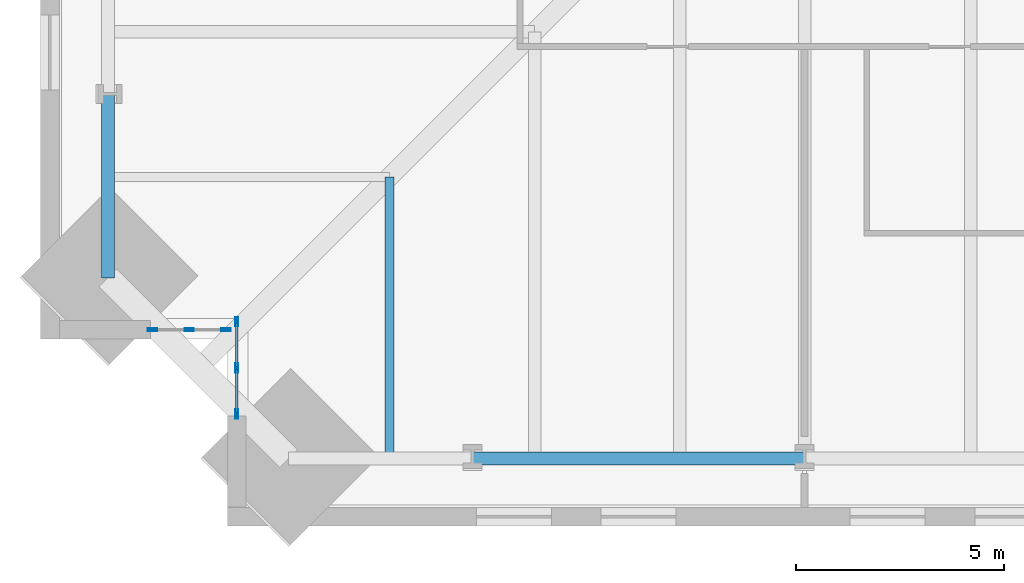
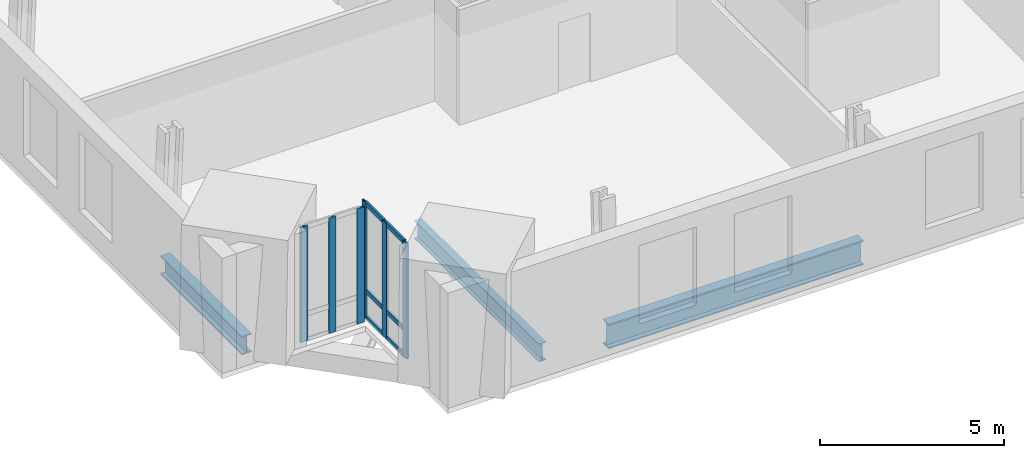
# One storey, part 2 of 18: 12 members, 3 beams, 2 elements without a shape of their own.
"""IFC4 building model written with IfcOpenShell, lengths in metres."""

from ifc_helpers import new_model, si_unit, direction, frame, origin, origin_2d, place, context, subcontext, project, spatial, hollow_rectangle, i_section, extrude, material, material_profile, profile_set, type_object, element, aggregate, save


model = new_model("IFC4")

# Units and contexts
model_context = context("Model", 3, precision=1e-05, world=origin(), true_north=direction((0.0, 1.0)))
body_context = subcontext(model_context, "Body", "Model", "MODEL_VIEW")
ifc_project = project(units=[si_unit("LENGTHUNIT", "METRE"), si_unit("AREAUNIT", "SQUARE_METRE"), si_unit("VOLUMEUNIT", "CUBIC_METRE"), si_unit("PLANEANGLEUNIT", "RADIAN"), si_unit("MASSUNIT", "GRAM", prefix="KILO")], contexts=[model_context])

# Site, building, storey
site_placement = place(None, origin())
site = spatial("IfcSite", under=ifc_project, at=site_placement, CompositionType="ELEMENT")
building_placement = place(site_placement, origin())
building = spatial("IfcBuilding", under=site, at=building_placement, Name="Peilmerk Tower", CompositionType="ELEMENT")
storey_placement = place(building_placement, frame((0.0, 0.0, 151.800048828125)))
storey = spatial("IfcBuildingStorey", under=building, at=storey_placement, Name="L31", CompositionType="ELEMENT", Elevation=151.800048828125)

# Beams
ifc_material_1 = material(Name="Steel S355", Category="steel")
ifc_material_profile_1 = material_profile(ifc_material_1, i_section(OverallWidth=0.219970703125, OverallDepth=0.60009765625, WebThickness=0.011962890625, FlangeThickness=0.01904296875, at=origin_2d()), Name="IPE 600")
ifc_profile_set_1 = profile_set([ifc_material_profile_1], Name="Steel S355")
beam_type_1 = type_object("IfcBeamType", Name="B10 IPE 600 floor beam", PredefinedType="BEAM", material=ifc_profile_set_1)
beam_1_placement = place(storey_placement, frame((-18.0, -18.0, -0.469970703125), z_axis=(0.0, -1.0, 0.0), x_axis=(1.0, 0.0, 0.0)))
element("IfcBeam", 1, at=beam_1_placement, inside=storey, type_object=beam_type_1, Name="Floor beam L31", PredefinedType="BEAM", context=body_context, shape_type="SweptSolid", body=[
    extrude(i_section(OverallWidth=0.219970703125, OverallDepth=0.60009765625, WebThickness=0.011962890625, FlangeThickness=0.01904296875, at=origin_2d()), origin(), (0.0, 0.0, 1.0), 6.77587890625),
])
ifc_material_profile_2 = material_profile(ifc_material_1, i_section(OverallWidth=0.302978515625, OverallDepth=0.81396484375, WebThickness=0.02099609375, FlangeThickness=0.0400390625, at=origin_2d()), Name="HEM 800")
ifc_profile_set_2 = profile_set([ifc_material_profile_2], Name="Steel S355")
beam_type_2 = type_object("IfcBeamType", Name="B15 HEM 800 edge beam", PredefinedType="SPANDREL", material=ifc_profile_set_2)
beam_2_placement = place(storey_placement, frame((-16.0, -24.77587890625, -0.5771484375), z_axis=(1.0, 0.0, 0.0), x_axis=(0.0, 1.0, 0.0)))
element("IfcBeam", 2, at=beam_2_placement, inside=storey, type_object=beam_type_2, Name="Edge beam L31", PredefinedType="SPANDREL", context=body_context, shape_type="SweptSolid", body=[
    extrude(i_section(OverallWidth=0.302978515625, OverallDepth=0.81396484375, WebThickness=0.02099609375, FlangeThickness=0.0400390625, at=origin_2d()), origin(), (0.0, 0.0, 1.0), 8.0),
])
ifc_material_profile_3 = material_profile(ifc_material_1, i_section(OverallWidth=0.304931640625, OverallDepth=0.6201171875, WebThickness=0.02099609375, FlangeThickness=0.0400390625, at=origin_2d()), Name="HEM 600")
ifc_profile_set_3 = profile_set([ifc_material_profile_3], Name="Steel S355")
beam_type_3 = type_object("IfcBeamType", Name="B31 HEM 600 edge beam", PredefinedType="SPANDREL", material=ifc_profile_set_3)
beam_3_placement = place(storey_placement, frame((-24.77587890625, -16.0, -0.47998046875), z_axis=(0.0, -1.0, 0.0), x_axis=(1.0, 0.0, 0.0)))
element("IfcBeam", 3, at=beam_3_placement, inside=storey, type_object=beam_type_3, Name="Edge beam L31", PredefinedType="SPANDREL", context=body_context, shape_type="SweptSolid", body=[
    extrude(i_section(OverallWidth=0.304931640625, OverallDepth=0.6201171875, WebThickness=0.02099609375, FlangeThickness=0.0400390625, at=origin_2d()), origin(), (0.0, 0.0, 1.0), 4.42578125),
])

# Curtain wall, members
ifc_material_2 = material(Name="Aluminium stick curtain wall", Category="aluminium")
curtain_wall_type = type_object("IfcCurtainWallType", Name="CW3 stick curtain wall, 2250 module", PredefinedType="NOTDEFINED", material=ifc_material_2)
curtain_wall_1_placement = place(storey_placement, origin())
curtain_wall_1 = element("IfcCurtainWall", 4, at=curtain_wall_1_placement, inside=storey, type_object=curtain_wall_type, Name="Curtain wall CW3 SWA L31", PredefinedType="NOTDEFINED")
ifc_material_3 = material(Name="Aluminium EN AW-6063 T6", Category="aluminium")
ifc_material_profile_4 = material_profile(ifc_material_3, hollow_rectangle(XDim=0.06494140625, YDim=0.22509765625, WallThickness=0.00390625, at=origin_2d()), Name="AL 225x65x4")
ifc_profile_set_4 = profile_set([ifc_material_profile_4], Name="Aluminium EN AW-6063 T6")
member_type_1 = type_object("IfcMemberType", Name="CW3-M AL 225x65x4 mullion", PredefinedType="MULLION", material=ifc_profile_set_4)
member_1_placement = place(storey_placement, frame((-21.675048828125, -21.482421875, 0.0), z_axis=(0.0, 0.0, 1.0), x_axis=(1.0, 0.0, 0.0)))
member_1 = element("IfcMember", 5, at=member_1_placement, type_object=member_type_1, Name="CW3 mullion 1", PredefinedType="MULLION", context=body_context, shape_type="SweptSolid", body=[
    extrude(hollow_rectangle(XDim=0.06494140625, YDim=0.22509765625, WallThickness=0.00390625, at=origin_2d()), origin(), (0.0, 0.0, 1.0), 3.829833984375),
])
member_2_placement = place(storey_placement, frame((-21.675048828125, -22.59423828125, 0.0), z_axis=(0.0, 0.0, 1.0), x_axis=(1.0, 0.0, 0.0)))
member_2 = element("IfcMember", 6, at=member_2_placement, type_object=member_type_1, Name="CW3 mullion 2", PredefinedType="MULLION", context=body_context, shape_type="SweptSolid", body=[
    extrude(hollow_rectangle(XDim=0.06494140625, YDim=0.22509765625, WallThickness=0.00390625, at=origin_2d()), origin(), (0.0, 0.0, 1.0), 3.829833984375),
])
member_3_placement = place(storey_placement, frame((-21.675048828125, -23.706298828125, 0.0), z_axis=(0.0, 0.0, 1.0), x_axis=(1.0, 0.0, 0.0)))
member_3 = element("IfcMember", 7, at=member_3_placement, type_object=member_type_1, Name="CW3 mullion 3", PredefinedType="MULLION", context=body_context, shape_type="SweptSolid", body=[
    extrude(hollow_rectangle(XDim=0.06494140625, YDim=0.22509765625, WallThickness=0.00390625, at=origin_2d()), origin(), (0.0, 0.0, 1.0), 3.829833984375),
])

curtain_wall_2_placement = place(storey_placement, origin())
curtain_wall_2 = element("IfcCurtainWall", 8, at=curtain_wall_2_placement, inside=storey, type_object=curtain_wall_type, Name="Curtain wall CW3 SWB L31", PredefinedType="NOTDEFINED")
member_4_placement = place(storey_placement, frame((-21.9326171875, -21.675048828125, 0.0), z_axis=(0.0, 0.0, 1.0), x_axis=(0.0, -1.0, 0.0)))
member_4 = element("IfcMember", 9, at=member_4_placement, type_object=member_type_1, Name="CW3 mullion 1", PredefinedType="MULLION", context=body_context, shape_type="SweptSolid", body=[
    extrude(hollow_rectangle(XDim=0.06494140625, YDim=0.22509765625, WallThickness=0.00390625, at=origin_2d()), origin(), (0.0, 0.0, 1.0), 3.829833984375),
])
member_5_placement = place(storey_placement, frame((-22.8193359375, -21.675048828125, 0.0), z_axis=(0.0, 0.0, 1.0), x_axis=(0.0, -1.0, 0.0)))
member_5 = element("IfcMember", 10, at=member_5_placement, type_object=member_type_1, Name="CW3 mullion 2", PredefinedType="MULLION", context=body_context, shape_type="SweptSolid", body=[
    extrude(hollow_rectangle(XDim=0.06494140625, YDim=0.22509765625, WallThickness=0.00390625, at=origin_2d()), origin(), (0.0, 0.0, 1.0), 3.829833984375),
])
member_6_placement = place(storey_placement, frame((-23.706298828125, -21.675048828125, 0.0), z_axis=(0.0, 0.0, 1.0), x_axis=(0.0, -1.0, 0.0)))
member_6 = element("IfcMember", 11, at=member_6_placement, type_object=member_type_1, Name="CW3 mullion 3", PredefinedType="MULLION", context=body_context, shape_type="SweptSolid", body=[
    extrude(hollow_rectangle(XDim=0.06494140625, YDim=0.22509765625, WallThickness=0.00390625, at=origin_2d()), origin(), (0.0, 0.0, 1.0), 3.829833984375),
])
aggregate(curtain_wall_2, [member_4, member_5, member_6])

# Member
ifc_material_profile_5 = material_profile(ifc_material_3, hollow_rectangle(XDim=0.06494140625, YDim=0.14990234375, WallThickness=0.0029296875, at=origin_2d()), Name="AL 150x65x3")
ifc_profile_set_5 = profile_set([ifc_material_profile_5], Name="Aluminium EN AW-6063 T6")
member_type_2 = type_object("IfcMemberType", Name="CW3-T AL 150x65x3 transom", PredefinedType="USERDEFINED", material=ifc_profile_set_5)
member_7_placement = place(storey_placement, frame((-21.675048828125, -21.514892578125, 0.032470703125), z_axis=(0.0, -1.0, 0.0), x_axis=(1.0, 0.0, 0.0)))
member_7 = element("IfcMember", 12, at=member_7_placement, type_object=member_type_2, Name="CW3 transom 1.1", ObjectType="TRANSOM", PredefinedType="USERDEFINED", context=body_context, shape_type="SweptSolid", body=[
    extrude(hollow_rectangle(XDim=0.06494140625, YDim=0.14990234375, WallThickness=0.0029296875, at=origin_2d()), origin(), (0.0, 0.0, 1.0), 1.046875),
])

member_8_placement = place(storey_placement, frame((-21.675048828125, -21.514892578125, 0.89990234375), z_axis=(0.0, -1.0, 0.0), x_axis=(1.0, 0.0, 0.0)))
member_8 = element("IfcMember", 13, at=member_8_placement, type_object=member_type_2, Name="CW3 transom 1.2", ObjectType="TRANSOM", PredefinedType="USERDEFINED", context=body_context, shape_type="SweptSolid", body=[
    extrude(hollow_rectangle(XDim=0.06494140625, YDim=0.14990234375, WallThickness=0.0029296875, at=origin_2d()), origin(), (0.0, 0.0, 1.0), 1.046875),
])

member_9_placement = place(storey_placement, frame((-21.675048828125, -21.514892578125, 3.79736328125), z_axis=(0.0, -1.0, 0.0), x_axis=(1.0, 0.0, 0.0)))
member_9 = element("IfcMember", 14, at=member_9_placement, type_object=member_type_2, Name="CW3 transom 1.3", ObjectType="TRANSOM", PredefinedType="USERDEFINED", context=body_context, shape_type="SweptSolid", body=[
    extrude(hollow_rectangle(XDim=0.06494140625, YDim=0.14990234375, WallThickness=0.0029296875, at=origin_2d()), origin(), (0.0, 0.0, 1.0), 1.046875),
])

member_10_placement = place(storey_placement, frame((-21.675048828125, -22.626953125, 0.032470703125), z_axis=(0.0, -1.0, 0.0), x_axis=(1.0, 0.0, 0.0)))
member_10 = element("IfcMember", 15, at=member_10_placement, type_object=member_type_2, Name="CW3 transom 2.1", ObjectType="TRANSOM", PredefinedType="USERDEFINED", context=body_context, shape_type="SweptSolid", body=[
    extrude(hollow_rectangle(XDim=0.06494140625, YDim=0.14990234375, WallThickness=0.0029296875, at=origin_2d()), origin(), (0.0, 0.0, 1.0), 1.046630859375),
])

member_11_placement = place(storey_placement, frame((-21.675048828125, -22.626953125, 0.89990234375), z_axis=(0.0, -1.0, 0.0), x_axis=(1.0, 0.0, 0.0)))
member_11 = element("IfcMember", 16, at=member_11_placement, type_object=member_type_2, Name="CW3 transom 2.2", ObjectType="TRANSOM", PredefinedType="USERDEFINED", context=body_context, shape_type="SweptSolid", body=[
    extrude(hollow_rectangle(XDim=0.06494140625, YDim=0.14990234375, WallThickness=0.0029296875, at=origin_2d()), origin(), (0.0, 0.0, 1.0), 1.046630859375),
])

member_12_placement = place(storey_placement, frame((-21.675048828125, -22.626953125, 3.79736328125), z_axis=(0.0, -1.0, 0.0), x_axis=(1.0, 0.0, 0.0)))
member_12 = element("IfcMember", 17, at=member_12_placement, type_object=member_type_2, Name="CW3 transom 2.3", ObjectType="TRANSOM", PredefinedType="USERDEFINED", context=body_context, shape_type="SweptSolid", body=[
    extrude(hollow_rectangle(XDim=0.06494140625, YDim=0.14990234375, WallThickness=0.0029296875, at=origin_2d()), origin(), (0.0, 0.0, 1.0), 1.046630859375),
])

aggregate(curtain_wall_1, [member_1, member_2, member_3, member_7, member_8, member_9, member_10, member_11, member_12])

save(model, "model.ifc")
